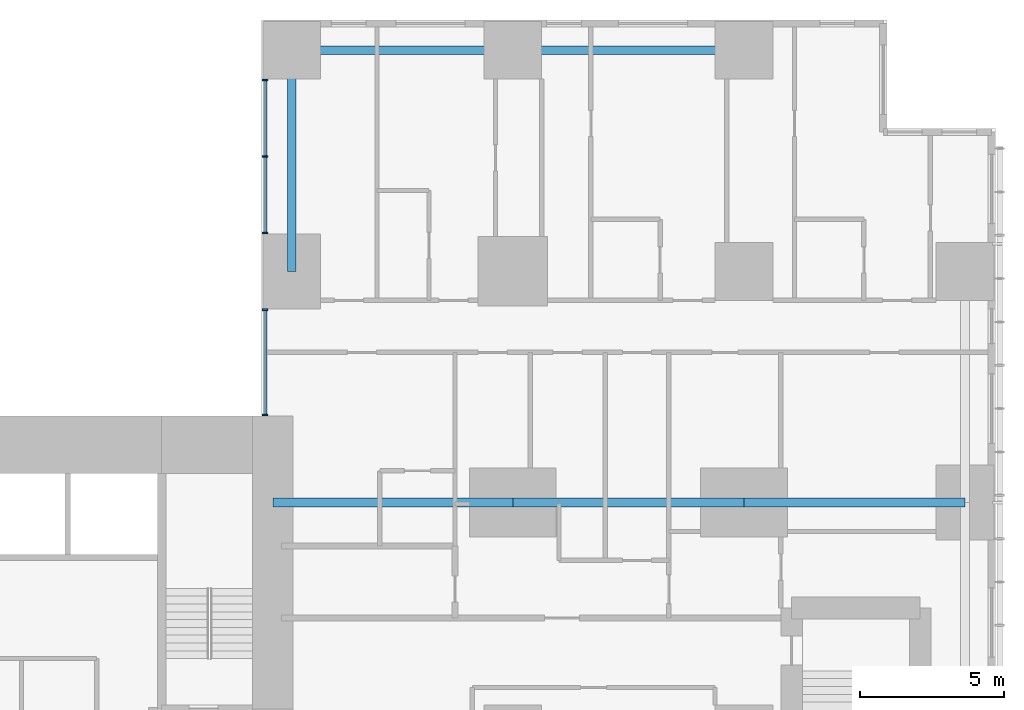
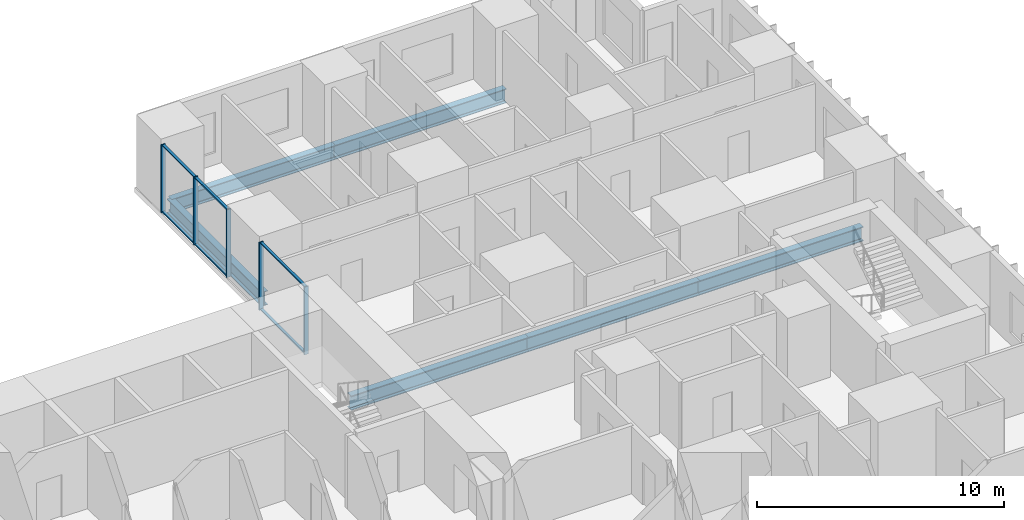
# One storey, part 5 of 21: 11 members, 6 beams, 2 elements without a shape of their own.
"""IFC4 building model written with IfcOpenShell, lengths in metres."""

from ifc_helpers import new_model, si_unit, direction, frame, origin, origin_2d, place, context, subcontext, project, spatial, rectangle, i_section, extrude, material, layer, layer_set, material_profile, profile_set, type_object, element, aggregate, save


model = new_model("IFC4")

# Units and contexts
model_context = context("Model", 3, precision=1e-05, world=origin(), true_north=direction((0.0, 1.0)))
body_context = subcontext(model_context, "Body", "Model", "MODEL_VIEW")
ifc_project = project(units=[si_unit("LENGTHUNIT", "METRE"), si_unit("AREAUNIT", "SQUARE_METRE"), si_unit("VOLUMEUNIT", "CUBIC_METRE"), si_unit("PLANEANGLEUNIT", "RADIAN"), si_unit("MASSUNIT", "GRAM", prefix="KILO")], contexts=[model_context])

# Site, building, storey
site_placement = place(None, origin())
site = spatial("IfcSite", under=ifc_project, at=site_placement, CompositionType="ELEMENT")
building_placement = place(site_placement, origin())
building = spatial("IfcBuilding", under=site, at=building_placement, Name="Cleftline Residences", CompositionType="ELEMENT")
storey_placement = place(building_placement, frame((0.0, 0.0, 65.60009765625)))
storey = spatial("IfcBuildingStorey", under=building, at=storey_placement, Name="L16", CompositionType="ELEMENT", Elevation=65.60009765625)

# Beams
ifc_material_1 = material(Name="Steel S355", Category="steel")
ifc_material_profile_1 = material_profile(ifc_material_1, i_section(OverallWidth=0.300048828125, OverallDepth=0.699951171875, WebThickness=0.01708984375, FlangeThickness=0.031982421875, FilletRadius=0.027099609375, at=origin_2d()))
ifc_profile_set_1 = profile_set([ifc_material_profile_1], Name="Steel S355")
beam_type_1 = type_object("IfcBeamType", Name="BEAM HEB 700", PredefinedType="BEAM", material=ifc_profile_set_1)
beam_1_placement = place(storey_placement, frame((58.0, 47.64990234375, -0.60009765625), z_axis=(-1.0, 0.0, 0.0), x_axis=(0.0, -1.0, 0.0)))
element("IfcBeam", 1, at=beam_1_placement, inside=storey, type_object=beam_type_1, Name="Edge beam", PredefinedType="BEAM", context=body_context, shape_type="SweptSolid", body=[
    extrude(i_section(OverallWidth=0.300048828125, OverallDepth=0.699951171875, WebThickness=0.01708984375, FlangeThickness=0.031982421875, FilletRadius=0.027099609375, at=origin_2d()), origin(), (0.0, 0.0, 1.0), 8.0),
])
for number, where, z_axis, x_axis, name in (
    (2, (50.0, 47.64990234375, -0.60009765625), (-1.0, 0.0, 0.0), (0.0, -1.0, 0.0), "Edge beam"),
    (3, (42.35009765625, 47.64990234375, -0.60009765625), (0.0, -1.0, 0.0), (1.0, 0.0, 0.0), "Edge beam"),
):
    element("IfcBeam", number, at=place(storey_placement, frame(where, z_axis=z_axis, x_axis=x_axis)), inside=storey, type_object=beam_type_1, Name=name, PredefinedType="BEAM", context=body_context, shape_type="SweptSolid", body=[
        extrude(i_section(OverallWidth=0.300048828125, OverallDepth=0.699951171875, WebThickness=0.01708984375, FlangeThickness=0.031982421875, FilletRadius=0.027099609375, at=origin_2d()), origin(), (0.0, 0.0, 1.0), 7.64990234375),
    ])
ifc_material_2 = material(Name="Steel S355", Category="steel")
ifc_material_profile_2 = material_profile(ifc_material_2, i_section(OverallWidth=0.303955078125, OverallDepth=0.716064453125, WebThickness=0.02099609375, FlangeThickness=0.0400390625, FilletRadius=0.027099609375, at=origin_2d()))
ifc_profile_set_2 = profile_set([ifc_material_profile_2], Name="Steel S355")
beam_type_2 = type_object("IfcBeamType", Name="BEAM HEM 700", PredefinedType="BEAM", material=ifc_profile_set_2)
beam_2_placement = place(storey_placement, frame((65.64990234375, 32.0, -0.608154296875), z_axis=(-1.0, 0.0, 0.0), x_axis=(0.0, -1.0, 0.0)))
element("IfcBeam", 4, at=beam_2_placement, inside=storey, type_object=beam_type_2, Name="Band beam", PredefinedType="BEAM", context=body_context, shape_type="SweptSolid", body=[
    extrude(i_section(OverallWidth=0.303955078125, OverallDepth=0.716064453125, WebThickness=0.02099609375, FlangeThickness=0.0400390625, FilletRadius=0.027099609375, at=origin_2d()), origin(), (0.0, 0.0, 1.0), 7.64990234375),
])
beam_3_placement = place(storey_placement, frame((58.0, 32.0, -0.608154296875), z_axis=(-1.0, 0.0, 0.0), x_axis=(0.0, -1.0, 0.0)))
element("IfcBeam", 5, at=beam_3_placement, inside=storey, type_object=beam_type_2, Name="Band beam", PredefinedType="BEAM", context=body_context, shape_type="SweptSolid", body=[
    extrude(i_section(OverallWidth=0.303955078125, OverallDepth=0.716064453125, WebThickness=0.02099609375, FlangeThickness=0.0400390625, FilletRadius=0.027099609375, at=origin_2d()), origin(), (0.0, 0.0, 1.0), 8.0),
])
beam_4_placement = place(storey_placement, frame((50.0, 32.0, -0.608154296875), z_axis=(-1.0, 0.0, 0.0), x_axis=(0.0, -1.0, 0.0)))
element("IfcBeam", 6, at=beam_4_placement, inside=storey, type_object=beam_type_2, Name="Band beam", PredefinedType="BEAM", context=body_context, shape_type="SweptSolid", body=[
    extrude(i_section(OverallWidth=0.303955078125, OverallDepth=0.716064453125, WebThickness=0.02099609375, FlangeThickness=0.0400390625, FilletRadius=0.027099609375, at=origin_2d()), origin(), (0.0, 0.0, 1.0), 8.300048828125),
])

# Curtain wall, members
ifc_material_3 = material(Name="Aluminium framed curtain wall", Category="aluminium")
ifc_layer = layer(ifc_material_3, 0.199951171875)
ifc_layer_set = layer_set([ifc_layer], Name="CW1 CLEFT GLAZING")
curtain_wall_type = type_object("IfcCurtainWallType", Name="CW1 CLEFT GLAZING", PredefinedType="NOTDEFINED", material=ifc_layer_set)
curtain_wall_1_placement = place(storey_placement, origin())
curtain_wall_1 = element("IfcCurtainWall", 7, at=curtain_wall_1_placement, inside=storey, type_object=curtain_wall_type, Name="Curtain wall CW1", PredefinedType="NOTDEFINED")
ifc_material_4 = material(Name="Aluminium mullion", Category="aluminium")
ifc_material_profile_3 = material_profile(ifc_material_4, rectangle(XDim=0.199951171875, YDim=0.06005859375, at=origin_2d()))
ifc_profile_set_3 = profile_set([ifc_material_profile_3], Name="Aluminium mullion")
member_type_1 = type_object("IfcMemberType", Name="CW1 MULLION", PredefinedType="MULLION", material=ifc_profile_set_3)
member_1_placement = place(storey_placement, frame((41.425048828125, 46.6201171875, 0.0), z_axis=(0.0, 0.0, 1.0), x_axis=(1.0, 0.0, 0.0)))
member_1 = element("IfcMember", 8, at=member_1_placement, type_object=member_type_1, Name="CW1 mullion 1", PredefinedType="MULLION", context=body_context, shape_type="SweptSolid", body=[
    extrude(rectangle(XDim=0.199951171875, YDim=0.06005859375, at=origin_2d()), origin(), (0.0, 0.0, 1.0), 3.349853515625),
])
member_2_placement = place(storey_placement, frame((41.425048828125, 43.97509765625, 0.0), z_axis=(0.0, 0.0, 1.0), x_axis=(1.0, 0.0, 0.0)))
member_2 = element("IfcMember", 9, at=member_2_placement, type_object=member_type_1, Name="CW1 mullion 2", PredefinedType="MULLION", context=body_context, shape_type="SweptSolid", body=[
    extrude(rectangle(XDim=0.199951171875, YDim=0.06005859375, at=origin_2d()), origin(), (0.0, 0.0, 1.0), 3.349853515625),
])
member_3_placement = place(storey_placement, frame((41.425048828125, 41.330078125, 0.0), z_axis=(0.0, 0.0, 1.0), x_axis=(1.0, 0.0, 0.0)))
member_3 = element("IfcMember", 10, at=member_3_placement, type_object=member_type_1, Name="CW1 mullion 3", PredefinedType="MULLION", context=body_context, shape_type="SweptSolid", body=[
    extrude(rectangle(XDim=0.199951171875, YDim=0.06005859375, at=origin_2d()), origin(), (0.0, 0.0, 1.0), 3.349853515625),
])

curtain_wall_2_placement = place(storey_placement, origin())
curtain_wall_2 = element("IfcCurtainWall", 11, at=curtain_wall_2_placement, inside=storey, type_object=curtain_wall_type, Name="Curtain wall CW1", PredefinedType="NOTDEFINED")
member_4_placement = place(storey_placement, frame((41.425048828125, 38.669921875, 0.0), z_axis=(0.0, 0.0, 1.0), x_axis=(1.0, 0.0, 0.0)))
member_4 = element("IfcMember", 12, at=member_4_placement, type_object=member_type_1, Name="CW1 mullion 1", PredefinedType="MULLION", context=body_context, shape_type="SweptSolid", body=[
    extrude(rectangle(XDim=0.199951171875, YDim=0.06005859375, at=origin_2d()), origin(), (0.0, 0.0, 1.0), 3.349853515625),
])
member_5_placement = place(storey_placement, frame((41.425048828125, 35.030029296875, 0.0), z_axis=(0.0, 0.0, 1.0), x_axis=(1.0, 0.0, 0.0)))
member_5 = element("IfcMember", 13, at=member_5_placement, type_object=member_type_1, Name="CW1 mullion 2", PredefinedType="MULLION", context=body_context, shape_type="SweptSolid", body=[
    extrude(rectangle(XDim=0.199951171875, YDim=0.06005859375, at=origin_2d()), origin(), (0.0, 0.0, 1.0), 3.349853515625),
])

# Member
ifc_material_5 = material(Name="Aluminium transom", Category="aluminium")
ifc_material_profile_4 = material_profile(ifc_material_5, rectangle(XDim=0.1201171875, YDim=0.06005859375, at=origin_2d()))
ifc_profile_set_4 = profile_set([ifc_material_profile_4], Name="Aluminium transom")
member_type_2 = type_object("IfcMemberType", Name="CW1 TRANSOM", PredefinedType="USERDEFINED", material=ifc_profile_set_4)
member_6_placement = place(storey_placement, frame((41.425048828125, 46.590087890625, 0.02978515625), z_axis=(0.0, -1.0, 0.0), x_axis=(1.0, 0.0, 0.0)))
member_6 = element("IfcMember", 14, at=member_6_placement, type_object=member_type_2, Name="CW1 transom 1.1", ObjectType="TRANSOM", PredefinedType="USERDEFINED", context=body_context, shape_type="SweptSolid", body=[
    extrude(rectangle(XDim=0.1201171875, YDim=0.06005859375, at=origin_2d()), origin(), (0.0, 0.0, 1.0), 2.585205078125),
])

member_7_placement = place(storey_placement, frame((41.425048828125, 46.590087890625, 3.31982421875), z_axis=(0.0, -1.0, 0.0), x_axis=(1.0, 0.0, 0.0)))
member_7 = element("IfcMember", 15, at=member_7_placement, type_object=member_type_2, Name="CW1 transom 1.2", ObjectType="TRANSOM", PredefinedType="USERDEFINED", context=body_context, shape_type="SweptSolid", body=[
    extrude(rectangle(XDim=0.1201171875, YDim=0.06005859375, at=origin_2d()), origin(), (0.0, 0.0, 1.0), 2.585205078125),
])

member_8_placement = place(storey_placement, frame((41.425048828125, 43.945068359375, 0.02978515625), z_axis=(0.0, -1.0, 0.0), x_axis=(1.0, 0.0, 0.0)))
member_8 = element("IfcMember", 16, at=member_8_placement, type_object=member_type_2, Name="CW1 transom 2.1", ObjectType="TRANSOM", PredefinedType="USERDEFINED", context=body_context, shape_type="SweptSolid", body=[
    extrude(rectangle(XDim=0.1201171875, YDim=0.06005859375, at=origin_2d()), origin(), (0.0, 0.0, 1.0), 2.5849609375),
])

member_9_placement = place(storey_placement, frame((41.425048828125, 43.945068359375, 3.31982421875), z_axis=(0.0, -1.0, 0.0), x_axis=(1.0, 0.0, 0.0)))
member_9 = element("IfcMember", 17, at=member_9_placement, type_object=member_type_2, Name="CW1 transom 2.2", ObjectType="TRANSOM", PredefinedType="USERDEFINED", context=body_context, shape_type="SweptSolid", body=[
    extrude(rectangle(XDim=0.1201171875, YDim=0.06005859375, at=origin_2d()), origin(), (0.0, 0.0, 1.0), 2.5849609375),
])

aggregate(curtain_wall_1, [member_1, member_2, member_3, member_6, member_7, member_8, member_9])

member_10_placement = place(storey_placement, frame((41.425048828125, 38.639892578125, 0.02978515625), z_axis=(0.0, -1.0, 0.0), x_axis=(1.0, 0.0, 0.0)))
member_10 = element("IfcMember", 18, at=member_10_placement, type_object=member_type_2, Name="CW1 transom 1.1", ObjectType="TRANSOM", PredefinedType="USERDEFINED", context=body_context, shape_type="SweptSolid", body=[
    extrude(rectangle(XDim=0.1201171875, YDim=0.06005859375, at=origin_2d()), origin(), (0.0, 0.0, 1.0), 3.579833984375),
])

member_11_placement = place(storey_placement, frame((41.425048828125, 38.639892578125, 3.31982421875), z_axis=(0.0, -1.0, 0.0), x_axis=(1.0, 0.0, 0.0)))
member_11 = element("IfcMember", 19, at=member_11_placement, type_object=member_type_2, Name="CW1 transom 1.2", ObjectType="TRANSOM", PredefinedType="USERDEFINED", context=body_context, shape_type="SweptSolid", body=[
    extrude(rectangle(XDim=0.1201171875, YDim=0.06005859375, at=origin_2d()), origin(), (0.0, 0.0, 1.0), 3.579833984375),
])

aggregate(curtain_wall_2, [member_4, member_5, member_10, member_11])

save(model, "model.ifc")
